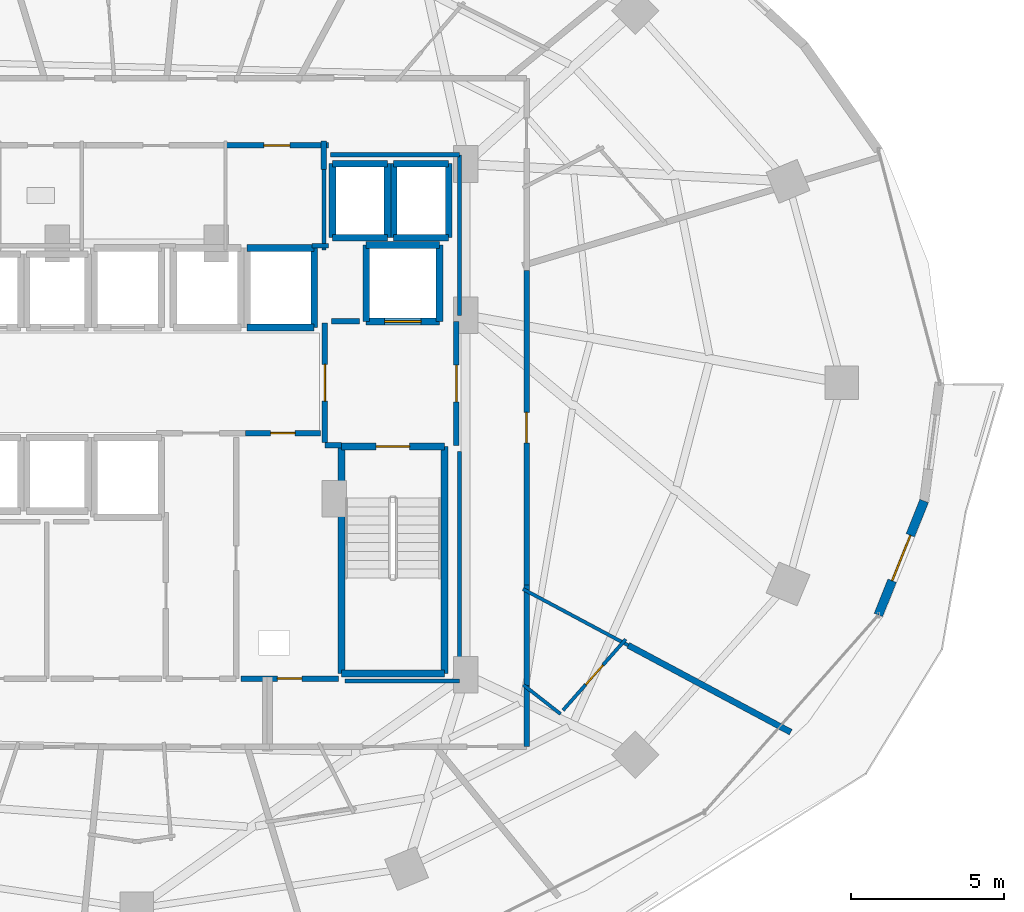
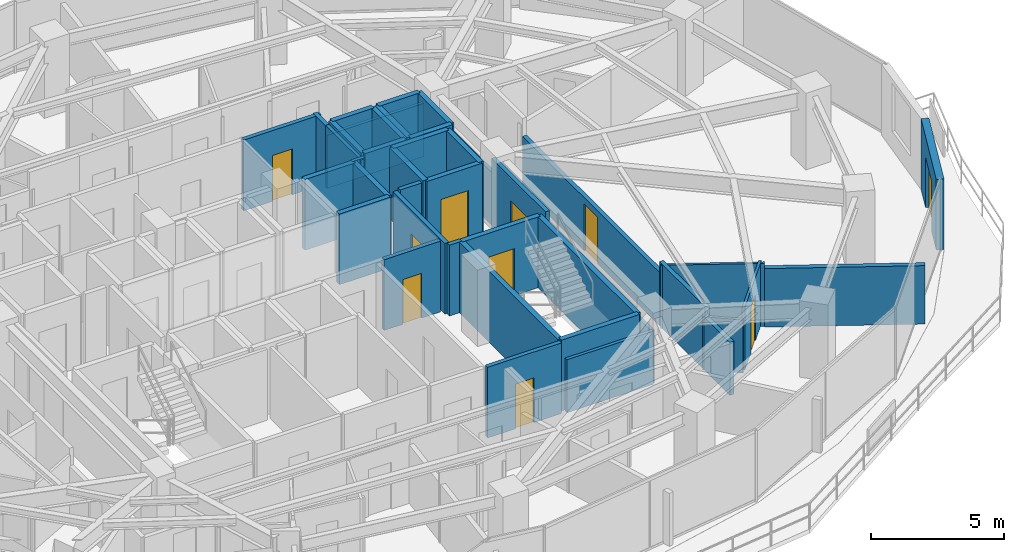
# One storey, part 24 of 29: 41 walls, 10 doors, 10 openings.
"""IFC4 building model written with IfcOpenShell, lengths in metres."""

from ifc_helpers import new_model, si_unit, direction, frame, frame_2d, origin, place, context, subcontext, project, spatial, rectangle, extrude, material, layer, layer_set, type_object, element, fill, save


model = new_model("IFC4")

# Units and contexts
model_context = context("Model", 3, precision=1e-05, world=origin(), true_north=direction((0.0, 1.0)))
body_context = subcontext(model_context, "Body", "Model", "MODEL_VIEW")
ifc_project = project(units=[si_unit("LENGTHUNIT", "METRE"), si_unit("AREAUNIT", "SQUARE_METRE"), si_unit("VOLUMEUNIT", "CUBIC_METRE"), si_unit("PLANEANGLEUNIT", "RADIAN"), si_unit("MASSUNIT", "GRAM", prefix="KILO")], contexts=[model_context])

# Site, building, storey
site_placement = place(None, origin())
site = spatial("IfcSite", under=ifc_project, at=site_placement, CompositionType="ELEMENT")
building_placement = place(site_placement, origin())
building = spatial("IfcBuilding", under=site, at=building_placement, Name="Vorneva Point Tower", CompositionType="ELEMENT")
storey_placement = place(building_placement, frame((0.0, 0.0, 113.800048828125)))
storey = spatial("IfcBuildingStorey", under=building, at=storey_placement, Name="L30", CompositionType="ELEMENT", Elevation=113.800048828125)

# Wall, opening, door
ifc_material_1 = material(Name="Concrete B60 (C50/60)", Category="concrete")
ifc_layer_1 = layer(ifc_material_1, 0.5)
ifc_layer_set_1 = layer_set([ifc_layer_1], Name="Concrete B60 (C50/60)")
wall_type_1 = type_object("IfcWallType", Name="WL-CORE-500", PredefinedType="SHEAR", material=ifc_layer_set_1)
wall_1_placement = place(storey_placement, frame((45.5, 28.0, 0.0), z_axis=(0.0, 0.0, 1.0), x_axis=(1.0, 0.0, 0.0)))
wall_1 = element("IfcWall", 1, at=wall_1_placement, inside=storey, type_object=wall_type_1, Name="L30 Lift FFL2 Shaft Wall -Y", PredefinedType="SHEAR", context=body_context, shape_type="SweptSolid", body=[
    extrude(rectangle(XDim=2.39990234375, YDim=0.219970703125, at=frame_2d((1.199951171875, 0.0))), origin(), (0.0, 0.0, 1.0), 3.239990234375),
])
opening_1_placement = place(wall_1_placement, frame((0.60009765625, 0.0, 0.0)))
opening_1 = element("IfcOpeningElement", 2, at=opening_1_placement, cuts=wall_1, Name="Opening LD-02", PredefinedType="OPENING", context=body_context, shape_type="SweptSolid", body=[
    extrude(rectangle(XDim=1.199951171875, YDim=2.199951171875, at=frame_2d((0.60009765625, 1.10009765625))), frame((0.0, 0.125, 0.0), z_axis=(0.0, -1.0, 0.0), x_axis=(1.0, 0.0, 0.0)), (0.0, 0.0, 1.0), 0.249755859375),
])
ifc_material_2 = material(Name="Brushed stainless steel S304", Category="steel")
door_type_1 = type_object("IfcDoorType", Name="LD-FIRE-1200", OperationType="SLIDING_TO_LEFT", PredefinedType="DOOR", material=ifc_material_2)
door_1_placement = place(opening_1_placement, origin())
door_1 = element("IfcDoor", 3, at=door_1_placement, inside=storey, type_object=door_type_1, Name="L30 Lift FFL2 Sliding Landing Door", OperationType="SLIDING_TO_LEFT", OverallHeight=2.199951171875, OverallWidth=1.199951171875, PredefinedType="DOOR", context=body_context, shape_type="SweptSolid", body=[
    extrude(rectangle(XDim=1.199951171875, YDim=2.199951171875, at=frame_2d((0.60009765625, 1.10009765625))), frame((0.0, 0.02490234375, 0.0), z_axis=(0.0, -1.0, 0.0), x_axis=(1.0, 0.0, 0.0)), (0.0, 0.0, 1.0), 0.050048828125),
])
fill(opening_1, door_1)

# Walls
wall_2_placement = place(storey_placement, frame((47.89990234375, 28.0, 0.0), z_axis=(0.0, 0.0, 1.0), x_axis=(0.0, 1.0, 0.0)))
element("IfcWall", 4, at=wall_2_placement, inside=storey, type_object=wall_type_1, Name="L30 Lift FFL2 Shaft Wall +X", PredefinedType="SHEAR", context=body_context, shape_type="SweptSolid", body=[
    extrude(rectangle(XDim=2.5, YDim=0.219970703125, at=frame_2d((1.25, 0.0))), origin(), (0.0, 0.0, 1.0), 3.239990234375),
])
wall_3_placement = place(storey_placement, frame((47.89990234375, 30.5, 0.0), z_axis=(0.0, 0.0, 1.0), x_axis=(-1.0, 0.0, 0.0)))
element("IfcWall", 5, at=wall_3_placement, inside=storey, type_object=wall_type_1, Name="L30 Lift FFL2 Shaft Wall +Y", PredefinedType="SHEAR", context=body_context, shape_type="SweptSolid", body=[
    extrude(rectangle(XDim=2.39990234375, YDim=0.219970703125, at=frame_2d((1.199951171875, 0.0))), origin(), (0.0, 0.0, 1.0), 3.239990234375),
])
wall_4_placement = place(storey_placement, frame((45.5, 30.5, 0.0), z_axis=(0.0, 0.0, 1.0), x_axis=(0.0, -1.0, 0.0)))
element("IfcWall", 6, at=wall_4_placement, inside=storey, type_object=wall_type_1, Name="L30 Lift FFL2 Shaft Wall -X", PredefinedType="SHEAR", context=body_context, shape_type="SweptSolid", body=[
    extrude(rectangle(XDim=2.5, YDim=0.219970703125, at=frame_2d((1.25, 0.0))), origin(), (0.0, 0.0, 1.0), 3.239990234375),
])

# Wall, opening, door
ifc_material_3 = material(Name="Precast concrete B50 (C40/50)", Category="concrete")
ifc_layer_2 = layer(ifc_material_3, 0.300048828125)
ifc_layer_set_2 = layer_set([ifc_layer_2], Name="Precast concrete B50 (C40/50)")
wall_type_2 = type_object("IfcWallType", Name="WL-EXT-300", PredefinedType="STANDARD", material=ifc_layer_set_2)
wall_5_placement = place(storey_placement, frame((62.251708984375, 18.40380859375, 0.0), z_axis=(0.0, 0.0, 1.0), x_axis=(0.372345205928, 0.92809430966, 0.0)))
wall_5 = element("IfcWall", 7, at=wall_5_placement, inside=storey, type_object=wall_type_2, Name="L30 Pale-Metal Facade Spandrel Wall 16.1", PredefinedType="STANDARD", context=body_context, shape_type="SweptSolid", body=[
    extrude(rectangle(XDim=4.01220703125, YDim=0.300048828125, at=frame_2d((2.006103515625, 0.0))), origin(), (0.0, 0.0, 1.0), 3.239990234375),
])
opening_2_placement = place(wall_5_placement, frame((1.2060546875, 0.0, 0.0)))
opening_2 = element("IfcOpeningElement", 8, at=opening_2_placement, cuts=wall_5, Name="Opening BD-01", PredefinedType="OPENING", context=body_context, shape_type="SweptSolid", body=[
    extrude(rectangle(XDim=1.60009765625, YDim=2.300048828125, at=frame_2d((0.800048828125, 1.14990234375))), frame((0.0, 0.1650390625, 0.0), z_axis=(0.0, -1.0, 0.0), x_axis=(1.0, 0.0, 0.0)), (0.0, 0.0, 1.0), 0.329833984375),
])
ifc_material_4 = material(Name="Pale anodised aluminium", Category="aluminium")
door_type_2 = type_object("IfcDoorType", Name="DR-BAL-1600", OperationType="SLIDING_TO_LEFT", PredefinedType="DOOR", material=ifc_material_4)
door_2_placement = place(opening_2_placement, origin())
door_2 = element("IfcDoor", 9, at=door_2_placement, inside=storey, type_object=door_type_2, Name="L30 Balcony Terrace Access Door 16", OperationType="SLIDING_TO_LEFT", OverallHeight=2.300048828125, OverallWidth=1.60009765625, PredefinedType="DOOR", context=body_context, shape_type="SweptSolid", body=[
    extrude(rectangle(XDim=1.60009765625, YDim=2.300048828125, at=frame_2d((0.800048828125, 1.14990234375))), frame((0.0, 0.02490234375, 0.0), z_axis=(0.0, -1.0, 0.0), x_axis=(1.0, 0.0, 0.0)), (0.0, 0.0, 1.0), 0.050048828125),
])
fill(opening_2, door_2)

ifc_material_5 = material(Name="Fire-rated acoustic gypsum stud partition", Category="gypsum")
ifc_layer_3 = layer(ifc_material_5, 0.110107421875)
ifc_layer_set_3 = layer_set([ifc_layer_3], Name="Fire-rated acoustic gypsum stud partition")
wall_type_3 = type_object("IfcWallType", Name="WL-PART-110", PredefinedType="PARTITIONING", material=ifc_layer_set_3)
wall_6_placement = place(storey_placement, frame((53.98876953125, 17.60791015625, 0.0), z_axis=(0.0, 0.0, 1.0), x_axis=(-0.662322264705, -0.749219071885, 0.0)))
wall_6 = element("IfcWall", 10, at=wall_6_placement, inside=storey, type_object=wall_type_3, Name="L30 Interior Partition 107", PredefinedType="PARTITIONING", context=body_context, shape_type="SweptSolid", body=[
    extrude(rectangle(XDim=3.098876953125, YDim=0.110107421875, at=frame_2d((1.54931640625, 0.0))), origin(), (0.0, 0.0, 1.0), 2.885986328125),
])
opening_3_placement = place(wall_6_placement, frame((1.12451171875, 0.0, 0.0)))
opening_3 = element("IfcOpeningElement", 11, at=opening_3_placement, cuts=wall_6, Name="Opening ID-02", PredefinedType="OPENING", context=body_context, shape_type="SweptSolid", body=[
    extrude(rectangle(XDim=0.85009765625, YDim=2.10009765625, at=frame_2d((0.425048828125, 1.050048828125))), frame((0.0, 0.06982421875, 0.0), z_axis=(0.0, -1.0, 0.0), x_axis=(1.0, 0.0, 0.0)), (0.0, 0.0, 1.0), 0.139892578125),
])
ifc_material_6 = material(Name="Engineered oak fire-rated door leaf", Category="wood")
door_type_3 = type_object("IfcDoorType", Name="DR-BATH-850", OperationType="NOTDEFINED", PredefinedType="DOOR", material=ifc_material_6)
door_3_placement = place(opening_3_placement, origin())
door_3 = element("IfcDoor", 12, at=door_3_placement, inside=storey, type_object=door_type_3, Name="L30 Door Deluxe Guest Room L30-14 / En-Suite Bathroom L30-14", OperationType="SINGLE_SWING_LEFT", OverallHeight=2.10009765625, OverallWidth=0.85009765625, PredefinedType="DOOR", context=body_context, shape_type="SweptSolid", body=[
    extrude(rectangle(XDim=0.85009765625, YDim=2.10009765625, at=frame_2d((0.425048828125, 1.050048828125))), frame((0.0, 0.02490234375, 0.0), z_axis=(0.0, -1.0, 0.0), x_axis=(1.0, 0.0, 0.0)), (0.0, 0.0, 1.0), 0.050048828125),
])
fill(opening_3, door_3)

# Walls
wall_7_placement = place(storey_placement, frame((51.8583984375, 15.16259765625, 0.0), z_axis=(0.0, 0.0, 1.0), x_axis=(-0.787564922247, 0.61623168796, 0.0)))
element("IfcWall", 13, at=wall_7_placement, inside=storey, type_object=wall_type_3, Name="L30 Interior Partition 108", PredefinedType="PARTITIONING", context=body_context, shape_type="SweptSolid", body=[
    extrude(rectangle(XDim=1.547607421875, YDim=0.110107421875, at=frame_2d((0.77392578125, 0.0))), origin(), (0.0, 0.0, 1.0), 2.431884765625),
])
wall_8_placement = place(storey_placement, frame((54.072509765625, 17.408935546875, 0.0), z_axis=(0.0, 0.0, 1.0), x_axis=(-0.881911515214, 0.47141497572, 0.0)))
element("IfcWall", 14, at=wall_8_placement, inside=storey, type_object=wall_type_3, Name="L30 Interior Partition 109", PredefinedType="PARTITIONING", context=body_context, shape_type="SweptSolid", body=[
    extrude(rectangle(XDim=3.907470703125, YDim=0.110107421875, at=frame_2d((1.95361328125, 0.0))), origin(), (0.0, 0.0, 1.0), 2.885986328125),
])
ifc_layer_4 = layer(ifc_material_5, 0.139892578125)
ifc_layer_set_4 = layer_set([ifc_layer_4], Name="Fire-rated acoustic gypsum stud partition")
wall_type_4 = type_object("IfcWallType", Name="WL-PART-140", PredefinedType="PARTITIONING", material=ifc_layer_set_4)
wall_9_placement = place(storey_placement, frame((43.735107421875, 30.47998046875, 0.0), z_axis=(0.0, 0.0, 1.0), x_axis=(1.0, 0.0, 0.0)))
element("IfcWall", 15, at=wall_9_placement, inside=storey, type_object=wall_type_4, Name="L30 Interior Closure Partition 116", PredefinedType="PARTITIONING", context=body_context, shape_type="SweptSolid", body=[
    extrude(rectangle(XDim=0.52490234375, YDim=0.139892578125, at=frame_2d((0.262451171875, 0.0))), origin(), (0.0, 0.0, 1.0), 3.239990234375),
])
wall_10_placement = place(storey_placement, frame((44.1201171875, 30.340087890625, 0.0), z_axis=(0.0, 0.0, 1.0), x_axis=(0.0, 1.0, 0.0)))
element("IfcWall", 16, at=wall_10_placement, inside=storey, type_object=wall_type_4, Name="L30 Interior Closure Partition 117", PredefinedType="PARTITIONING", context=body_context, shape_type="SweptSolid", body=[
    extrude(rectangle(XDim=2.659912109375, YDim=0.139892578125, at=frame_2d((1.330078125, 0.0))), origin(), (0.0, 0.0, 1.0), 3.239990234375),
])
wall_11_placement = place(storey_placement, frame((44.340087890625, 33.449951171875, 0.0), z_axis=(0.0, 0.0, 1.0), x_axis=(1.0, 0.0, 0.0)))
element("IfcWall", 17, at=wall_11_placement, inside=storey, type_object=wall_type_4, Name="L30 Interior Closure Partition 120", PredefinedType="PARTITIONING", context=body_context, shape_type="SweptSolid", body=[
    extrude(rectangle(XDim=4.2099609375, YDim=0.139892578125, at=frame_2d((2.10498046875, 0.0))), origin(), (0.0, 0.0, 1.0), 2.431884765625),
])
wall_12_placement = place(storey_placement, frame((48.550048828125, 33.449951171875, 0.0), z_axis=(0.0, 0.0, 1.0), x_axis=(0.0, -1.0, 0.0)))
element("IfcWall", 18, at=wall_12_placement, inside=storey, type_object=wall_type_4, Name="L30 Interior Closure Partition 121", PredefinedType="PARTITIONING", context=body_context, shape_type="SweptSolid", body=[
    extrude(rectangle(XDim=5.25390625, YDim=0.139892578125, at=frame_2d((2.626953125, 0.0))), origin(), (0.0, 0.0, 1.0), 2.431884765625),
])
wall_13_placement = place(storey_placement, frame((48.550048828125, 23.75390625, 0.0), z_axis=(0.0, 0.0, 1.0), x_axis=(0.0, -1.0, 0.0)))
element("IfcWall", 19, at=wall_13_placement, inside=storey, type_object=wall_type_4, Name="L30 Interior Closure Partition 122", PredefinedType="PARTITIONING", context=body_context, shape_type="SweptSolid", body=[
    extrude(rectangle(XDim=7.513916015625, YDim=0.139892578125, at=frame_2d((3.7568359375, 0.0))), origin(), (0.0, 0.0, 1.0), 2.431884765625),
])
wall_14_placement = place(storey_placement, frame((48.550048828125, 16.239990234375, 0.0), z_axis=(0.0, 0.0, 1.0), x_axis=(-1.0, 0.0, 0.0)))
element("IfcWall", 20, at=wall_14_placement, inside=storey, type_object=wall_type_4, Name="L30 Interior Closure Partition 123", PredefinedType="PARTITIONING", context=body_context, shape_type="SweptSolid", body=[
    extrude(rectangle(XDim=3.7451171875, YDim=0.139892578125, at=frame_2d((1.87255859375, 0.0))), origin(), (0.0, 0.0, 1.0), 2.431884765625),
])

# Wall, opening, door
ifc_material_7 = material(Name="Autoclaved aerated concrete blockwork", Category="masonry")
ifc_layer_5 = layer(ifc_material_7, 0.179931640625)
ifc_layer_set_5 = layer_set([ifc_layer_5], Name="Autoclaved aerated concrete blockwork")
wall_type_5 = type_object("IfcWallType", Name="WL-PART-180", PredefinedType="PARTITIONING", material=ifc_layer_set_5)
wall_15_placement = place(storey_placement, frame((44.14990234375, 27.955078125, 0.0), z_axis=(0.0, 0.0, 1.0), x_axis=(0.0, -1.0, 0.0)))
wall_15 = element("IfcWall", 21, at=wall_15_placement, inside=storey, type_object=wall_type_5, Name="L30 Interior Partition 003", PredefinedType="PARTITIONING", context=body_context, shape_type="SweptSolid", body=[
    extrude(rectangle(XDim=3.91015625, YDim=0.179931640625, at=frame_2d((1.955078125, 0.0))), origin(), (0.0, 0.0, 1.0), 3.239990234375),
])
opening_4_placement = place(wall_15_placement, frame((1.35498046875, 0.0, 0.0)))
opening_4 = element("IfcOpeningElement", 22, at=opening_4_placement, cuts=wall_15, Name="Opening FD-02", PredefinedType="OPENING", context=body_context, shape_type="SweptSolid", body=[
    extrude(rectangle(XDim=1.199951171875, YDim=2.14990234375, at=frame_2d((0.60009765625, 1.074951171875))), frame((0.0, 0.10498046875, 0.0), z_axis=(0.0, -1.0, 0.0), x_axis=(1.0, 0.0, 0.0)), (0.0, 0.0, 1.0), 0.209716796875),
])
ifc_material_8 = material(Name="Fire-rated powder-coated steel", Category="steel")
door_type_4 = type_object("IfcDoorType", Name="DR-FFL-1200", OperationType="NOTDEFINED", PredefinedType="DOOR", material=ifc_material_8)
door_4_placement = place(opening_4_placement, origin())
door_4 = element("IfcDoor", 23, at=door_4_placement, inside=storey, type_object=door_type_4, Name="L30 Door East Firefighting Lobby / Central Lift Lobby", OperationType="SINGLE_SWING_RIGHT", OverallHeight=2.14990234375, OverallWidth=1.199951171875, PredefinedType="DOOR", context=body_context, shape_type="SweptSolid", body=[
    extrude(rectangle(XDim=1.199951171875, YDim=2.14990234375, at=frame_2d((0.60009765625, 1.074951171875))), frame((0.0, 0.02490234375, 0.0), z_axis=(0.0, -1.0, 0.0), x_axis=(1.0, 0.0, 0.0)), (0.0, 0.0, 1.0), 0.050048828125),
])
fill(opening_4, door_4)

# Wall
wall_16_placement = place(storey_placement, frame((44.14990234375, 23.949951171875, 0.0), z_axis=(0.0, 0.0, 1.0), x_axis=(1.0, 0.0, 0.0)))
element("IfcWall", 24, at=wall_16_placement, inside=storey, type_object=wall_type_5, Name="L30 Interior Partition 004", PredefinedType="PARTITIONING", context=body_context, shape_type="SweptSolid", body=[
    extrude(rectangle(XDim=0.5400390625, YDim=0.179931640625, at=frame_2d((0.27001953125, 0.0))), origin(), (0.0, 0.0, 1.0), 3.239990234375),
])

# Wall, opening, door
wall_17_placement = place(storey_placement, frame((48.449951171875, 23.949951171875, 0.0), z_axis=(0.0, 0.0, 1.0), x_axis=(0.0, 1.0, 0.0)))
wall_17 = element("IfcWall", 25, at=wall_17_placement, inside=storey, type_object=wall_type_5, Name="L30 Interior Partition 005", PredefinedType="PARTITIONING", context=body_context, shape_type="SweptSolid", body=[
    extrude(rectangle(XDim=4.050048828125, YDim=0.179931640625, at=frame_2d((2.02490234375, 0.0))), origin(), (0.0, 0.0, 1.0), 3.239990234375),
])
opening_5_placement = place(wall_17_placement, frame((1.425048828125, 0.0, 0.0)))
opening_5 = element("IfcOpeningElement", 26, at=opening_5_placement, cuts=wall_17, Name="Opening FD-02", PredefinedType="OPENING", context=body_context, shape_type="SweptSolid", body=[
    extrude(rectangle(XDim=1.199951171875, YDim=2.14990234375, at=frame_2d((0.60009765625, 1.074951171875))), frame((0.0, 0.10498046875, 0.0), z_axis=(0.0, -1.0, 0.0), x_axis=(1.0, 0.0, 0.0)), (0.0, 0.0, 1.0), 0.209716796875),
])
door_5_placement = place(opening_5_placement, origin())
door_5 = element("IfcDoor", 27, at=door_5_placement, inside=storey, type_object=door_type_4, Name="L30 Door East Firefighting Lobby / L30 Circulation Corridor", OperationType="SINGLE_SWING_LEFT", OverallHeight=2.14990234375, OverallWidth=1.199951171875, PredefinedType="DOOR", context=body_context, shape_type="SweptSolid", body=[
    extrude(rectangle(XDim=1.199951171875, YDim=2.14990234375, at=frame_2d((0.60009765625, 1.074951171875))), frame((0.0, 0.02490234375, 0.0), z_axis=(0.0, -1.0, 0.0), x_axis=(1.0, 0.0, 0.0)), (0.0, 0.0, 1.0), 0.050048828125),
])
fill(opening_5, door_5)

wall_18_placement = place(storey_placement, frame((41.554931640625, 24.35009765625, 0.0), z_axis=(0.0, 0.0, 1.0), x_axis=(1.0, 0.0, 0.0)))
wall_18 = element("IfcWall", 28, at=wall_18_placement, inside=storey, type_object=wall_type_5, Name="L30 Interior Partition 010", PredefinedType="PARTITIONING", context=body_context, shape_type="SweptSolid", body=[
    extrude(rectangle(XDim=2.445068359375, YDim=0.179931640625, at=frame_2d((1.22265625, 0.0))), origin(), (0.0, 0.0, 1.0), 3.239990234375),
])
opening_6_placement = place(wall_18_placement, frame((0.822509765625, 0.0, 0.0)))
opening_6 = element("IfcOpeningElement", 29, at=opening_6_placement, cuts=wall_18, Name="Opening RD-01", PredefinedType="OPENING", context=body_context, shape_type="SweptSolid", body=[
    extrude(rectangle(XDim=0.800048828125, YDim=2.050048828125, at=frame_2d((0.39990234375, 1.02490234375))), frame((0.0, 0.10498046875, 0.0), z_axis=(0.0, -1.0, 0.0), x_axis=(1.0, 0.0, 0.0)), (0.0, 0.0, 1.0), 0.209716796875),
])
door_type_5 = type_object("IfcDoorType", Name="DR-RSR-800", OperationType="SINGLE_SWING_LEFT", PredefinedType="DOOR", material=ifc_material_8)
door_6_placement = place(opening_6_placement, origin())
door_6 = element("IfcDoor", 30, at=door_6_placement, inside=storey, type_object=door_type_5, Name="L30 Door Central Lift Lobby / Electrical Riser", OperationType="SINGLE_SWING_RIGHT", OverallHeight=2.050048828125, OverallWidth=0.800048828125, PredefinedType="DOOR", context=body_context, shape_type="SweptSolid", body=[
    extrude(rectangle(XDim=0.800048828125, YDim=2.050048828125, at=frame_2d((0.39990234375, 1.02490234375))), frame((0.0, 0.02490234375, 0.0), z_axis=(0.0, -1.0, 0.0), x_axis=(1.0, 0.0, 0.0)), (0.0, 0.0, 1.0), 0.050048828125),
])
fill(opening_6, door_6)

wall_19_placement = place(storey_placement, frame((41.39990234375, 16.320068359375, 0.0), z_axis=(0.0, 0.0, 1.0), x_axis=(1.0, 0.0, 0.0)))
wall_19 = element("IfcWall", 31, at=wall_19_placement, inside=storey, type_object=wall_type_5, Name="L30 Interior Partition 014", PredefinedType="PARTITIONING", context=body_context, shape_type="SweptSolid", body=[
    extrude(rectangle(XDim=3.2001953125, YDim=0.179931640625, at=frame_2d((1.60009765625, 0.0))), origin(), (0.0, 0.0, 1.0), 3.239990234375),
])
opening_7_placement = place(wall_19_placement, frame((1.199951171875, 0.0, 0.0)))
opening_7 = element("IfcOpeningElement", 32, at=opening_7_placement, cuts=wall_19, Name="Opening RD-01", PredefinedType="OPENING", context=body_context, shape_type="SweptSolid", body=[
    extrude(rectangle(XDim=0.800048828125, YDim=2.050048828125, at=frame_2d((0.39990234375, 1.02490234375))), frame((0.0, 0.10498046875, 0.0), z_axis=(0.0, -1.0, 0.0), x_axis=(1.0, 0.0, 0.0)), (0.0, 0.0, 1.0), 0.209716796875),
])
door_7_placement = place(opening_7_placement, origin())
door_7 = element("IfcDoor", 33, at=door_7_placement, inside=storey, type_object=door_type_5, Name="L30 Door Electrical Riser / L30 Circulation Corridor", OperationType="SINGLE_SWING_RIGHT", OverallHeight=2.050048828125, OverallWidth=0.800048828125, PredefinedType="DOOR", context=body_context, shape_type="SweptSolid", body=[
    extrude(rectangle(XDim=0.800048828125, YDim=2.050048828125, at=frame_2d((0.39990234375, 1.02490234375))), frame((0.0, 0.02490234375, 0.0), z_axis=(0.0, -1.0, 0.0), x_axis=(1.0, 0.0, 0.0)), (0.0, 0.0, 1.0), 0.050048828125),
])
fill(opening_7, door_7)

wall_20_placement = place(storey_placement, frame((44.260009765625, 33.760009765625, 0.0), z_axis=(0.0, 0.0, 1.0), x_axis=(-1.0, 0.0, 0.0)))
wall_20 = element("IfcWall", 34, at=wall_20_placement, inside=storey, type_object=wall_type_5, Name="L30 Interior Partition 019", PredefinedType="PARTITIONING", context=body_context, shape_type="SweptSolid", body=[
    extrude(rectangle(XDim=3.360107421875, YDim=0.179931640625, at=frame_2d((1.68017578125, 0.0))), origin(), (0.0, 0.0, 1.0), 3.239990234375),
])
opening_8_placement = place(wall_20_placement, frame((1.2548828125, 0.0, 0.0)))
opening_8 = element("IfcOpeningElement", 35, at=opening_8_placement, cuts=wall_20, Name="Opening ID-02", PredefinedType="OPENING", context=body_context, shape_type="SweptSolid", body=[
    extrude(rectangle(XDim=0.85009765625, YDim=2.10009765625, at=frame_2d((0.425048828125, 1.050048828125))), frame((0.0, 0.10498046875, 0.0), z_axis=(0.0, -1.0, 0.0), x_axis=(1.0, 0.0, 0.0)), (0.0, 0.0, 1.0), 0.209716796875),
])
door_8_placement = place(opening_8_placement, origin())
door_8 = element("IfcDoor", 36, at=door_8_placement, inside=storey, type_object=door_type_3, Name="L30 Door Accessible WC / L30 Circulation Corridor", OperationType="SINGLE_SWING_LEFT", OverallHeight=2.10009765625, OverallWidth=0.85009765625, PredefinedType="DOOR", context=body_context, shape_type="SweptSolid", body=[
    extrude(rectangle(XDim=0.85009765625, YDim=2.10009765625, at=frame_2d((0.425048828125, 1.050048828125))), frame((0.0, 0.02490234375, 0.0), z_axis=(0.0, -1.0, 0.0), x_axis=(1.0, 0.0, 0.0)), (0.0, 0.0, 1.0), 0.050048828125),
])
fill(opening_8, door_8)

# Walls
wall_21_placement = place(storey_placement, frame((44.1201171875, 32.969970703125, 0.0), z_axis=(0.0, 0.0, 1.0), x_axis=(0.0, 1.0, 0.0)))
element("IfcWall", 37, at=wall_21_placement, inside=storey, type_object=wall_type_5, Name="L30 Interior Partition 020", PredefinedType="PARTITIONING", context=body_context, shape_type="SweptSolid", body=[
    extrude(rectangle(XDim=0.929931640625, YDim=0.179931640625, at=frame_2d((0.46484375, 0.0))), origin(), (0.0, 0.0, 1.0), 3.239990234375),
])
wall_22_placement = place(storey_placement, frame((50.75, 14.10009765625, 0.0), z_axis=(0.0, 0.0, 1.0), x_axis=(0.0, 1.0, 0.0)))
element("IfcWall", 38, at=wall_22_placement, inside=storey, type_object=wall_type_5, Name="L30 Interior Partition 057", PredefinedType="PARTITIONING", context=body_context, shape_type="SweptSolid", body=[
    extrude(rectangle(XDim=1.989990234375, YDim=0.179931640625, at=frame_2d((0.9951171875, 0.0))), origin(), (0.0, 0.0, 1.0), 2.431884765625),
])
wall_23_placement = place(storey_placement, frame((50.75, 15.949951171875, 0.0), z_axis=(0.0, 0.0, 1.0), x_axis=(0.0, 1.0, 0.0)))
element("IfcWall", 39, at=wall_23_placement, inside=storey, type_object=wall_type_5, Name="L30 Interior Partition 058", PredefinedType="PARTITIONING", context=body_context, shape_type="SweptSolid", body=[
    extrude(rectangle(XDim=3.43505859375, YDim=0.179931640625, at=frame_2d((1.717529296875, 0.0))), origin(), (0.0, 0.0, 1.0), 2.928955078125),
])

# Wall, opening, door
wall_24_placement = place(storey_placement, frame((50.75, 19.385009765625, 0.0), z_axis=(0.0, 0.0, 1.0), x_axis=(0.0, 1.0, 0.0)))
wall_24 = element("IfcWall", 40, at=wall_24_placement, inside=storey, type_object=wall_type_5, Name="L30 Interior Partition 059", PredefinedType="PARTITIONING", context=body_context, shape_type="SweptSolid", body=[
    extrude(rectangle(XDim=10.282958984375, YDim=0.179931640625, at=frame_2d((5.1416015625, 0.0))), origin(), (0.0, 0.0, 1.0), 2.431884765625),
])
opening_9_placement = place(wall_24_placement, frame((4.6416015625, 0.0, 0.0)))
opening_9 = element("IfcOpeningElement", 41, at=opening_9_placement, cuts=wall_24, Name="Opening UD-01", PredefinedType="OPENING", context=body_context, shape_type="SweptSolid", body=[
    extrude(rectangle(XDim=1.0, YDim=2.14990234375, at=frame_2d((0.5, 1.074951171875))), frame((0.0, 0.10498046875, 0.0), z_axis=(0.0, -1.0, 0.0), x_axis=(1.0, 0.0, 0.0)), (0.0, 0.0, 1.0), 0.209716796875),
])
door_type_6 = type_object("IfcDoorType", Name="DR-UNIT-1000", OperationType="NOTDEFINED", PredefinedType="DOOR", material=ifc_material_6)
door_9_placement = place(opening_9_placement, origin())
door_9 = element("IfcDoor", 42, at=door_9_placement, inside=storey, type_object=door_type_6, Name="L30 Door L30 Circulation Corridor / Executive Meeting Room L30-15", OperationType="SINGLE_SWING_RIGHT", OverallHeight=2.14990234375, OverallWidth=1.0, PredefinedType="DOOR", context=body_context, shape_type="SweptSolid", body=[
    extrude(rectangle(XDim=1.0, YDim=2.14990234375, at=frame_2d((0.5, 1.074951171875))), frame((0.0, 0.02490234375, 0.0), z_axis=(0.0, -1.0, 0.0), x_axis=(1.0, 0.0, 0.0)), (0.0, 0.0, 1.0), 0.050048828125),
])
fill(opening_9, door_9)

# Walls
wall_25_placement = place(storey_placement, frame((45.280029296875, 28.0, 0.0), z_axis=(0.0, 0.0, 1.0), x_axis=(-1.0, 0.0, 0.0)))
element("IfcWall", 43, at=wall_25_placement, inside=storey, type_object=wall_type_5, Name="L30 Interior Closure Partition 112", PredefinedType="PARTITIONING", context=body_context, shape_type="SweptSolid", body=[
    extrude(rectangle(XDim=0.9150390625, YDim=0.179931640625, at=frame_2d((0.45751953125, 0.0))), origin(), (0.0, 0.0, 1.0), 3.239990234375),
])
ifc_layer_6 = layer(ifc_material_7, 0.199951171875)
ifc_layer_set_6 = layer_set([ifc_layer_6], Name="Autoclaved aerated concrete blockwork")
wall_type_6 = type_object("IfcWallType", Name="WL-PART-200", PredefinedType="PARTITIONING", material=ifc_layer_set_6)
wall_26_placement = place(storey_placement, frame((59.384033203125, 14.570068359375, 0.0), z_axis=(0.0, 0.0, 1.0), x_axis=(-0.881918302895, 0.471402277274, 0.0)))
element("IfcWall", 44, at=wall_26_placement, inside=storey, type_object=wall_type_6, Name="L30 Interior Partition 110", PredefinedType="PARTITIONING", context=body_context, shape_type="SweptSolid", body=[
    extrude(rectangle(XDim=6.022705078125, YDim=0.199951171875, at=frame_2d((3.01123046875, 0.0))), origin(), (0.0, 0.0, 1.0), 2.677001953125),
])

# Wall, opening, door
ifc_material_9 = material(Name="Concrete B50 (C40/50)", Category="concrete")
ifc_layer_7 = layer(ifc_material_9, 0.219970703125)
ifc_layer_set_7 = layer_set([ifc_layer_7], Name="Concrete B50 (C40/50)")
wall_type_7 = type_object("IfcWallType", Name="WL-SHFT-220", PredefinedType="SOLIDWALL", material=ifc_layer_set_7)
wall_27_placement = place(storey_placement, frame((44.68994140625, 23.909912109375, 0.0), z_axis=(0.0, 0.0, 1.0), x_axis=(1.0, 0.0, 0.0)))
wall_27 = element("IfcWall", 45, at=wall_27_placement, inside=storey, type_object=wall_type_7, Name="L30 Exit Stair ST2 Shaft Wall near", PredefinedType="SOLIDWALL", context=body_context, shape_type="SweptSolid", body=[
    extrude(rectangle(XDim=3.3701171875, YDim=0.219970703125, at=frame_2d((1.68505859375, 0.0))), origin(), (0.0, 0.0, 1.0), 3.239990234375),
])
opening_10_placement = place(wall_27_placement, frame((1.135009765625, 0.0, 0.0)))
opening_10 = element("IfcOpeningElement", 46, at=opening_10_placement, cuts=wall_27, Name="Opening FD-01", PredefinedType="OPENING", context=body_context, shape_type="SweptSolid", body=[
    extrude(rectangle(XDim=1.10009765625, YDim=2.14990234375, at=frame_2d((0.550048828125, 1.074951171875))), frame((0.0, 0.125, 0.0), z_axis=(0.0, -1.0, 0.0), x_axis=(1.0, 0.0, 0.0)), (0.0, 0.0, 1.0), 0.249755859375),
])
door_type_7 = type_object("IfcDoorType", Name="DR-STAIR-1100", OperationType="NOTDEFINED", PredefinedType="DOOR", material=ifc_material_8)
door_10_placement = place(opening_10_placement, origin())
door_10 = element("IfcDoor", 47, at=door_10_placement, inside=storey, type_object=door_type_7, Name="L30 Exit Stair ST2 Fire Door", OperationType="SINGLE_SWING_LEFT", OverallHeight=2.14990234375, OverallWidth=1.10009765625, PredefinedType="DOOR", context=body_context, shape_type="SweptSolid", body=[
    extrude(rectangle(XDim=1.10009765625, YDim=2.14990234375, at=frame_2d((0.550048828125, 1.074951171875))), frame((0.0, 0.02490234375, 0.0), z_axis=(0.0, -1.0, 0.0), x_axis=(1.0, 0.0, 0.0)), (0.0, 0.0, 1.0), 0.050048828125),
])
fill(opening_10, door_10)

# Walls
wall_28_placement = place(storey_placement, frame((48.06005859375, 23.909912109375, 0.0), z_axis=(0.0, 0.0, 1.0), x_axis=(0.0, -1.0, 0.0)))
element("IfcWall", 48, at=wall_28_placement, inside=storey, type_object=wall_type_7, Name="L30 Exit Stair ST2 Shaft Wall right", PredefinedType="SOLIDWALL", context=body_context, shape_type="SweptSolid", body=[
    extrude(rectangle(XDim=7.419921875, YDim=0.219970703125, at=frame_2d((3.7099609375, 0.0))), origin(), (0.0, 0.0, 1.0), 3.239990234375),
])
wall_29_placement = place(storey_placement, frame((48.06005859375, 16.489990234375, 0.0), z_axis=(0.0, 0.0, 1.0), x_axis=(-1.0, 0.0, 0.0)))
element("IfcWall", 49, at=wall_29_placement, inside=storey, type_object=wall_type_7, Name="L30 Exit Stair ST2 Shaft Wall far", PredefinedType="SOLIDWALL", context=body_context, shape_type="SweptSolid", body=[
    extrude(rectangle(XDim=3.3701171875, YDim=0.219970703125, at=frame_2d((1.68505859375, 0.0))), origin(), (0.0, 0.0, 1.0), 3.239990234375),
])
wall_30_placement = place(storey_placement, frame((44.68994140625, 16.489990234375, 0.0), z_axis=(0.0, 0.0, 1.0), x_axis=(0.0, 1.0, 0.0)))
element("IfcWall", 50, at=wall_30_placement, inside=storey, type_object=wall_type_7, Name="L30 Exit Stair ST2 Shaft Wall left", PredefinedType="SOLIDWALL", context=body_context, shape_type="SweptSolid", body=[
    extrude(rectangle(XDim=7.419921875, YDim=0.219970703125, at=frame_2d((3.7099609375, 0.0))), origin(), (0.0, 0.0, 1.0), 3.239990234375),
])
wall_31_placement = place(storey_placement, frame((41.60009765625, 27.800048828125, 0.0), z_axis=(0.0, 0.0, 1.0), x_axis=(1.0, 0.0, 0.0)))
element("IfcWall", 51, at=wall_31_placement, inside=storey, type_object=wall_type_7, Name="L30 Lift PL8 Shaft Wall -Y", PredefinedType="SOLIDWALL", context=body_context, shape_type="SweptSolid", body=[
    extrude(rectangle(XDim=2.199951171875, YDim=0.219970703125, at=frame_2d((1.10009765625, 0.0))), origin(), (0.0, 0.0, 1.0), 3.239990234375),
])
wall_32_placement = place(storey_placement, frame((43.800048828125, 27.800048828125, 0.0), z_axis=(0.0, 0.0, 1.0), x_axis=(0.0, 1.0, 0.0)))
element("IfcWall", 52, at=wall_32_placement, inside=storey, type_object=wall_type_7, Name="L30 Lift PL8 Shaft Wall +X", PredefinedType="SOLIDWALL", context=body_context, shape_type="SweptSolid", body=[
    extrude(rectangle(XDim=2.599853515625, YDim=0.219970703125, at=frame_2d((1.2998046875, 0.0))), origin(), (0.0, 0.0, 1.0), 3.239990234375),
])
wall_33_placement = place(storey_placement, frame((43.800048828125, 30.39990234375, 0.0), z_axis=(0.0, 0.0, 1.0), x_axis=(-1.0, 0.0, 0.0)))
element("IfcWall", 53, at=wall_33_placement, inside=storey, type_object=wall_type_7, Name="L30 Lift PL8 Shaft Wall +Y", PredefinedType="SOLIDWALL", context=body_context, shape_type="SweptSolid", body=[
    extrude(rectangle(XDim=2.199951171875, YDim=0.219970703125, at=frame_2d((1.10009765625, 0.0))), origin(), (0.0, 0.0, 1.0), 3.239990234375),
])
wall_34_placement = place(storey_placement, frame((44.39990234375, 30.739990234375, 0.0), z_axis=(0.0, 0.0, 1.0), x_axis=(1.0, 0.0, 0.0)))
element("IfcWall", 54, at=wall_34_placement, inside=storey, type_object=wall_type_7, Name="L30 Lift EX1 Shaft Wall -Y", PredefinedType="SOLIDWALL", context=body_context, shape_type="SweptSolid", body=[
    extrude(rectangle(XDim=1.800048828125, YDim=0.219970703125, at=frame_2d((0.89990234375, 0.0))), origin(), (0.0, 0.0, 1.0), 3.239990234375),
])
wall_35_placement = place(storey_placement, frame((46.199951171875, 30.739990234375, 0.0), z_axis=(0.0, 0.0, 1.0), x_axis=(0.0, 1.0, 0.0)))
element("IfcWall", 55, at=wall_35_placement, inside=storey, type_object=wall_type_7, Name="L30 Lift EX1 Shaft Wall +X", PredefinedType="SOLIDWALL", context=body_context, shape_type="SweptSolid", body=[
    extrude(rectangle(XDim=2.419921875, YDim=0.219970703125, at=frame_2d((1.2099609375, 0.0))), origin(), (0.0, 0.0, 1.0), 3.239990234375),
])
wall_36_placement = place(storey_placement, frame((46.199951171875, 33.159912109375, 0.0), z_axis=(0.0, 0.0, 1.0), x_axis=(-1.0, 0.0, 0.0)))
element("IfcWall", 56, at=wall_36_placement, inside=storey, type_object=wall_type_7, Name="L30 Lift EX1 Shaft Wall +Y", PredefinedType="SOLIDWALL", context=body_context, shape_type="SweptSolid", body=[
    extrude(rectangle(XDim=1.800048828125, YDim=0.219970703125, at=frame_2d((0.89990234375, 0.0))), origin(), (0.0, 0.0, 1.0), 3.239990234375),
])
wall_37_placement = place(storey_placement, frame((44.39990234375, 33.159912109375, 0.0), z_axis=(0.0, 0.0, 1.0), x_axis=(0.0, -1.0, 0.0)))
element("IfcWall", 57, at=wall_37_placement, inside=storey, type_object=wall_type_7, Name="L30 Lift EX1 Shaft Wall -X", PredefinedType="SOLIDWALL", context=body_context, shape_type="SweptSolid", body=[
    extrude(rectangle(XDim=2.419921875, YDim=0.219970703125, at=frame_2d((1.2099609375, 0.0))), origin(), (0.0, 0.0, 1.0), 3.239990234375),
])
wall_38_placement = place(storey_placement, frame((46.39990234375, 30.739990234375, 0.0), z_axis=(0.0, 0.0, 1.0), x_axis=(1.0, 0.0, 0.0)))
element("IfcWall", 58, at=wall_38_placement, inside=storey, type_object=wall_type_7, Name="L30 Lift EX2 Shaft Wall -Y", PredefinedType="SOLIDWALL", context=body_context, shape_type="SweptSolid", body=[
    extrude(rectangle(XDim=1.800048828125, YDim=0.219970703125, at=frame_2d((0.89990234375, 0.0))), origin(), (0.0, 0.0, 1.0), 3.239990234375),
])
wall_39_placement = place(storey_placement, frame((48.199951171875, 30.739990234375, 0.0), z_axis=(0.0, 0.0, 1.0), x_axis=(0.0, 1.0, 0.0)))
element("IfcWall", 59, at=wall_39_placement, inside=storey, type_object=wall_type_7, Name="L30 Lift EX2 Shaft Wall +X", PredefinedType="SOLIDWALL", context=body_context, shape_type="SweptSolid", body=[
    extrude(rectangle(XDim=2.419921875, YDim=0.219970703125, at=frame_2d((1.2099609375, 0.0))), origin(), (0.0, 0.0, 1.0), 3.239990234375),
])
wall_40_placement = place(storey_placement, frame((48.199951171875, 33.159912109375, 0.0), z_axis=(0.0, 0.0, 1.0), x_axis=(-1.0, 0.0, 0.0)))
element("IfcWall", 60, at=wall_40_placement, inside=storey, type_object=wall_type_7, Name="L30 Lift EX2 Shaft Wall +Y", PredefinedType="SOLIDWALL", context=body_context, shape_type="SweptSolid", body=[
    extrude(rectangle(XDim=1.800048828125, YDim=0.219970703125, at=frame_2d((0.89990234375, 0.0))), origin(), (0.0, 0.0, 1.0), 3.239990234375),
])
wall_41_placement = place(storey_placement, frame((46.39990234375, 33.159912109375, 0.0), z_axis=(0.0, 0.0, 1.0), x_axis=(0.0, -1.0, 0.0)))
element("IfcWall", 61, at=wall_41_placement, inside=storey, type_object=wall_type_7, Name="L30 Lift EX2 Shaft Wall -X", PredefinedType="SOLIDWALL", context=body_context, shape_type="SweptSolid", body=[
    extrude(rectangle(XDim=2.419921875, YDim=0.219970703125, at=frame_2d((1.2099609375, 0.0))), origin(), (0.0, 0.0, 1.0), 3.239990234375),
])

save(model, "model.ifc")
